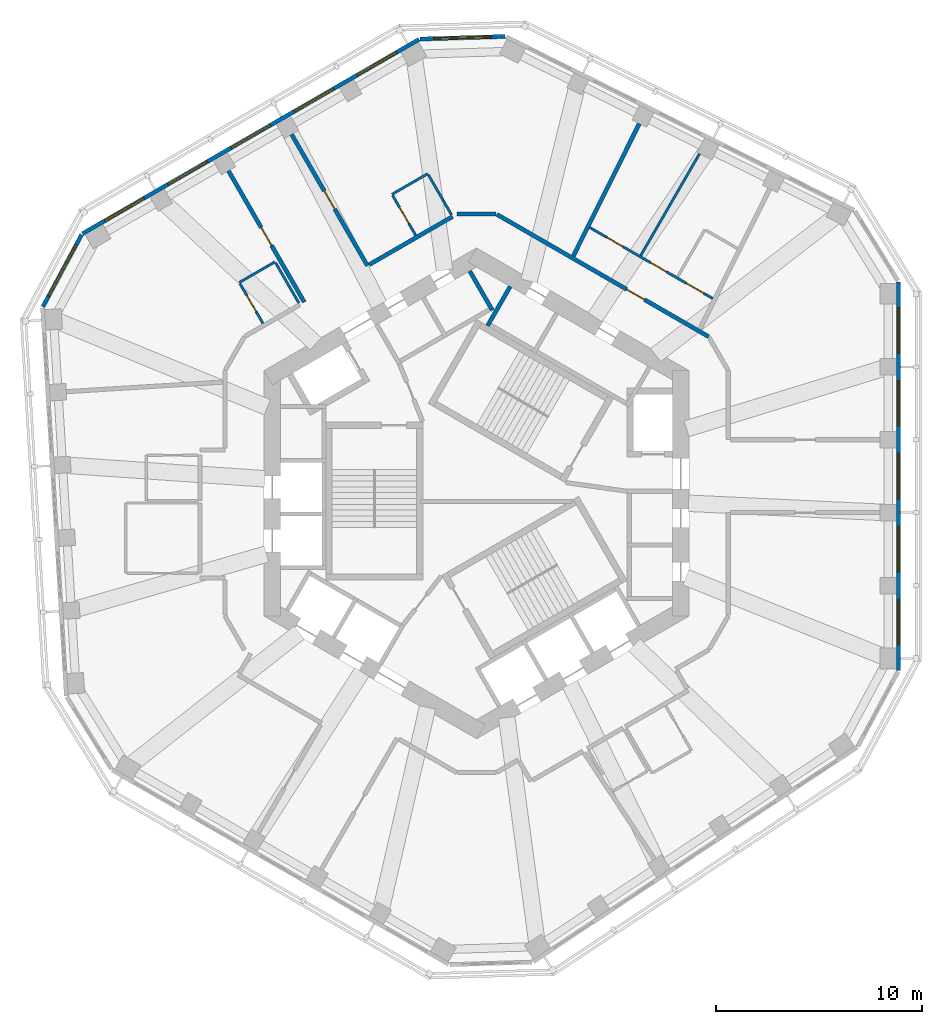
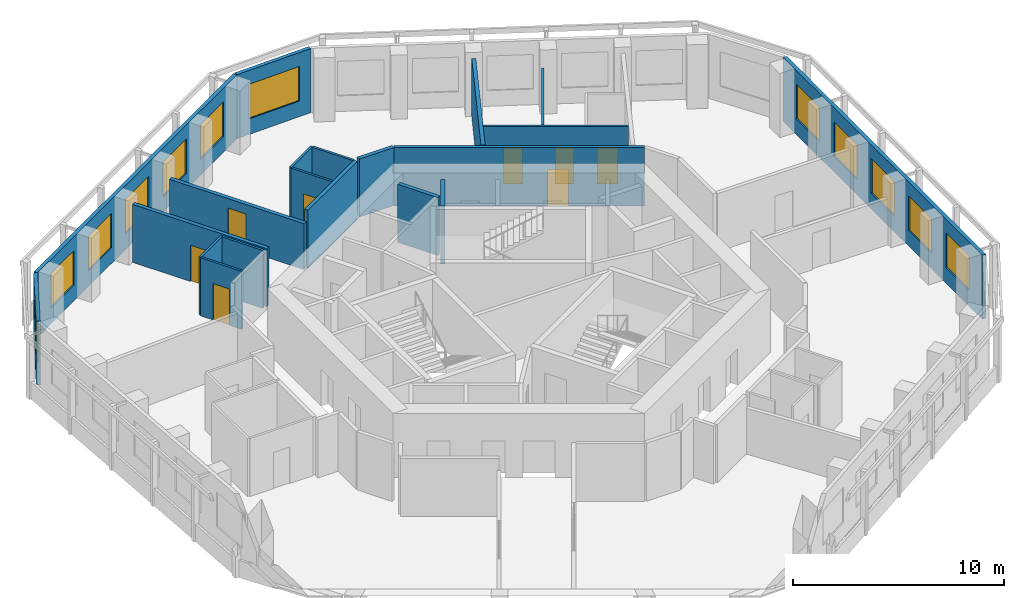
# One storey, part 7 of 11: 20 walls, 12 windows, 8 doors, 20 openings.
"""IFC4 building model written with IfcOpenShell, lengths in metres."""

from ifc_helpers import new_model, si_unit, direction, frame, frame_2d, origin, place, context, subcontext, project, spatial, rectangle, extrude, material, layer, layer_set, type_object, element, fill, save


model = new_model("IFC4")

# Units and contexts
model_context = context("Model", 3, precision=1e-05, world=origin(), true_north=direction((0.0, 1.0)))
body_context = subcontext(model_context, "Body", "Model", "MODEL_VIEW")
ifc_project = project(units=[si_unit("LENGTHUNIT", "METRE"), si_unit("AREAUNIT", "SQUARE_METRE"), si_unit("VOLUMEUNIT", "CUBIC_METRE"), si_unit("PLANEANGLEUNIT", "RADIAN"), si_unit("MASSUNIT", "GRAM", prefix="KILO")], contexts=[model_context])

# Site, building, storey
site_placement = place(None, origin())
site = spatial("IfcSite", under=ifc_project, at=site_placement, CompositionType="ELEMENT")
building_placement = place(site_placement, origin())
building = spatial("IfcBuilding", under=site, at=building_placement, Name="Vanh Sen Convention Tower", CompositionType="ELEMENT")
storey_placement = place(building_placement, frame((0.0, 0.0, 251.300048828125)))
storey = spatial("IfcBuildingStorey", under=building, at=storey_placement, Name="L62", CompositionType="ELEMENT", Elevation=251.300048828125)

# Wall
ifc_material_1 = material(Name="Moisture-resistant gypsum board on steel studs", Category="steel")
ifc_layer_1 = layer(ifc_material_1, 0.1201171875)
ifc_layer_set_1 = layer_set([ifc_layer_1], Name="Moisture-resistant gypsum board on steel studs")
wall_type_1 = type_object("IfcWallType", Name="Bathroom partition 120", PredefinedType="PARTITIONING", material=ifc_layer_set_1)
wall_1_placement = place(storey_placement, frame((-11.49853515625, 10.219970703125, 0.0), z_axis=(0.0, 0.0, 1.0), x_axis=(0.866010750942, 0.50002537861, 0.0)))
element("IfcWall", 1, at=wall_1_placement, inside=storey, type_object=wall_type_1, Name="Bathroom partition 120", PredefinedType="PARTITIONING", context=body_context, shape_type="SweptSolid", body=[
    extrude(rectangle(XDim=2.0, YDim=0.1201171875, at=frame_2d((1.0, 0.0))), origin(), (0.0, 0.0, 1.0), 3.349853515625),
])

# Wall, opening, door
wall_2_placement = place(storey_placement, frame((-10.348388671875, 8.22802734375, 0.0), z_axis=(0.0, 0.0, 1.0), x_axis=(-0.500030632641, 0.866007717299, 0.0)))
wall_2 = element("IfcWall", 2, at=wall_2_placement, inside=storey, type_object=wall_type_1, Name="Bathroom partition 120", PredefinedType="PARTITIONING", context=body_context, shape_type="SweptSolid", body=[
    extrude(rectangle(XDim=2.239990234375, YDim=0.1201171875, at=frame_2d((1.1201171875, 0.0))), origin(), (0.0, 0.0, 1.0), 3.349853515625),
])
opening_1_placement = place(wall_2_placement, frame((0.669921875, 0.0, 0.0)))
opening_1 = element("IfcOpeningElement", 3, at=opening_1_placement, cuts=wall_2, Name="Opening D61109", PredefinedType="OPENING", context=body_context, shape_type="SweptSolid", body=[
    extrude(rectangle(XDim=0.89990234375, YDim=2.10009765625, at=frame_2d((0.449951171875, 1.050048828125))), frame((0.0, 0.070068359375, 0.0), z_axis=(0.0, -1.0, 0.0), x_axis=(1.0, 0.0, 0.0)), (0.0, 0.0, 1.0), 0.14013671875),
])
ifc_material_2 = material(Name="Laminate door in steel frame", Category="steel")
door_type_1 = type_object("IfcDoorType", Name="Room internal door 900", OperationType="SINGLE_SWING_LEFT", PredefinedType="DOOR", material=ifc_material_2)
door_1_placement = place(opening_1_placement, origin())
door_1 = element("IfcDoor", 4, at=door_1_placement, inside=storey, type_object=door_type_1, Name="Internal room door D61109", OperationType="SINGLE_SWING_LEFT", OverallHeight=2.10009765625, OverallWidth=0.89990234375, PredefinedType="DOOR", context=body_context, shape_type="SweptSolid", body=[
    extrude(rectangle(XDim=0.89990234375, YDim=2.10009765625, at=frame_2d((0.449951171875, 1.050048828125))), frame((0.0, 0.02490234375, 0.0), z_axis=(0.0, -1.0, 0.0), x_axis=(1.0, 0.0, 0.0)), (0.0, 0.0, 1.0), 0.050048828125),
])
fill(opening_1, door_1)

# Walls
wall_3_placement = place(storey_placement, frame((-9.736572265625, 11.16796875, 0.0), z_axis=(0.0, 0.0, 1.0), x_axis=(0.500030632641, -0.866007717299, 0.0)))
element("IfcWall", 5, at=wall_3_placement, inside=storey, type_object=wall_type_1, Name="Bathroom partition 120", PredefinedType="PARTITIONING", context=body_context, shape_type="SweptSolid", body=[
    extrude(rectangle(XDim=2.239990234375, YDim=0.1201171875, at=frame_2d((1.1201171875, 0.0))), origin(), (0.0, 0.0, 1.0), 3.349853515625),
])
wall_4_placement = place(storey_placement, frame((-4.0986328125, 14.4921875, 0.0), z_axis=(0.0, 0.0, 1.0), x_axis=(0.866041268327, 0.499972520799, 0.0)))
element("IfcWall", 6, at=wall_4_placement, inside=storey, type_object=wall_type_1, Name="Bathroom partition 120", PredefinedType="PARTITIONING", context=body_context, shape_type="SweptSolid", body=[
    extrude(rectangle(XDim=2.0, YDim=0.1201171875, at=frame_2d((1.0, 0.0))), origin(), (0.0, 0.0, 1.0), 3.349853515625),
])

# Wall, opening, door
wall_5_placement = place(storey_placement, frame((-2.948486328125, 12.50048828125, 0.0), z_axis=(0.0, 0.0, 1.0), x_axis=(-0.500077830873, 0.865980463445, 0.0)))
wall_5 = element("IfcWall", 7, at=wall_5_placement, inside=storey, type_object=wall_type_1, Name="Bathroom partition 120", PredefinedType="PARTITIONING", context=body_context, shape_type="SweptSolid", body=[
    extrude(rectangle(XDim=2.239990234375, YDim=0.1201171875, at=frame_2d((1.1201171875, 0.0))), origin(), (0.0, 0.0, 1.0), 3.349853515625),
])
opening_2_placement = place(wall_5_placement, frame((0.669921875, 0.0, 0.0)))
opening_2 = element("IfcOpeningElement", 8, at=opening_2_placement, cuts=wall_5, Name="Opening D61107", PredefinedType="OPENING", context=body_context, shape_type="SweptSolid", body=[
    extrude(rectangle(XDim=0.89990234375, YDim=2.10009765625, at=frame_2d((0.449951171875, 1.050048828125))), frame((0.0, 0.070068359375, 0.0), z_axis=(0.0, -1.0, 0.0), x_axis=(1.0, 0.0, 0.0)), (0.0, 0.0, 1.0), 0.14013671875),
])
door_2_placement = place(opening_2_placement, origin())
door_2 = element("IfcDoor", 9, at=door_2_placement, inside=storey, type_object=door_type_1, Name="Internal room door D61107", OperationType="SINGLE_SWING_LEFT", OverallHeight=2.10009765625, OverallWidth=0.89990234375, PredefinedType="DOOR", context=body_context, shape_type="SweptSolid", body=[
    extrude(rectangle(XDim=0.89990234375, YDim=2.10009765625, at=frame_2d((0.449951171875, 1.050048828125))), frame((0.0, 0.02490234375, 0.0), z_axis=(0.0, -1.0, 0.0), x_axis=(1.0, 0.0, 0.0)), (0.0, 0.0, 1.0), 0.050048828125),
])
fill(opening_2, door_2)

# Walls
wall_6_placement = place(storey_placement, frame((-2.33642578125, 15.440185546875, 0.0), z_axis=(0.0, 0.0, 1.0), x_axis=(0.49999608499, -0.866027664105, 0.0)))
element("IfcWall", 10, at=wall_6_placement, inside=storey, type_object=wall_type_1, Name="Bathroom partition 120", PredefinedType="PARTITIONING", context=body_context, shape_type="SweptSolid", body=[
    extrude(rectangle(XDim=2.23974609375, YDim=0.1201171875, at=frame_2d((1.119873046875, 0.0))), origin(), (0.0, 0.0, 1.0), 3.349853515625),
])
wall_7_placement = place(storey_placement, frame((10.8046875, 16.458251953125, 0.0), z_axis=(0.0, 0.0, 1.0), x_axis=(-0.500025478307, -0.866010693377, 0.0)))
element("IfcWall", 11, at=wall_7_placement, inside=storey, type_object=wall_type_1, Name="Bathroom partition 120", PredefinedType="PARTITIONING", context=body_context, shape_type="SweptSolid", body=[
    extrude(rectangle(XDim=5.695556640625, YDim=0.1201171875, at=frame_2d((2.84765625, 0.0))), origin(), (0.0, 0.0, 1.0), 2.64990234375),
])

# Wall, openings, doors
wall_8_placement = place(storey_placement, frame((11.447265625, 9.441162109375, 0.0), z_axis=(0.0, 0.0, 1.0), x_axis=(-0.866016001002, 0.500016285743, 0.0)))
wall_8 = element("IfcWall", 12, at=wall_8_placement, inside=storey, type_object=wall_type_1, Name="Bathroom partition 120", PredefinedType="PARTITIONING", context=body_context, shape_type="SweptSolid", body=[
    extrude(rectangle(XDim=6.880615234375, YDim=0.1201171875, at=frame_2d((3.4404296875, 0.0))), origin(), (0.0, 0.0, 1.0), 3.349853515625),
])
opening_3_placement = place(wall_8_placement, frame((0.5, 0.0, 0.0)))
opening_3 = element("IfcOpeningElement", 13, at=opening_3_placement, cuts=wall_8, Name="Opening D61103", PredefinedType="OPENING", context=body_context, shape_type="SweptSolid", body=[
    extrude(rectangle(XDim=1.0, YDim=2.10009765625, at=frame_2d((0.5, 1.050048828125))), frame((0.0, 0.070068359375, 0.0), z_axis=(0.0, -1.0, 0.0), x_axis=(1.0, 0.0, 0.0)), (0.0, 0.0, 1.0), 0.14013671875),
])
opening_4_placement = place(wall_8_placement, frame((2.58251953125, 0.0, 0.0)))
opening_4 = element("IfcOpeningElement", 14, at=opening_4_placement, cuts=wall_8, Name="Opening D61104", PredefinedType="OPENING", context=body_context, shape_type="SweptSolid", body=[
    extrude(rectangle(XDim=0.89990234375, YDim=2.10009765625, at=frame_2d((0.449951171875, 1.050048828125))), frame((0.0, 0.070068359375, 0.0), z_axis=(0.0, -1.0, 0.0), x_axis=(1.0, 0.0, 0.0)), (0.0, 0.0, 1.0), 0.14013671875),
])
opening_5_placement = place(wall_8_placement, frame((5.022705078125, 0.0, 0.0)))
opening_5 = element("IfcOpeningElement", 15, at=opening_5_placement, cuts=wall_8, Name="Opening D61105", PredefinedType="OPENING", context=body_context, shape_type="SweptSolid", body=[
    extrude(rectangle(XDim=0.89990234375, YDim=2.10009765625, at=frame_2d((0.449951171875, 1.050048828125))), frame((0.0, 0.070068359375, 0.0), z_axis=(0.0, -1.0, 0.0), x_axis=(1.0, 0.0, 0.0)), (0.0, 0.0, 1.0), 0.14013671875),
])
door_type_2 = type_object("IfcDoorType", Name="Accessible WC door 1000", OperationType="SINGLE_SWING_LEFT", PredefinedType="DOOR", material=ifc_material_2)
door_3_placement = place(opening_3_placement, origin())
door_3 = element("IfcDoor", 16, at=door_3_placement, inside=storey, type_object=door_type_2, Name="Accessible WC door D61103", OperationType="SINGLE_SWING_LEFT", OverallHeight=2.10009765625, OverallWidth=1.0, PredefinedType="DOOR", context=body_context, shape_type="SweptSolid", body=[
    extrude(rectangle(XDim=1.0, YDim=2.10009765625, at=frame_2d((0.5, 1.050048828125))), frame((0.0, 0.02490234375, 0.0), z_axis=(0.0, -1.0, 0.0), x_axis=(1.0, 0.0, 0.0)), (0.0, 0.0, 1.0), 0.050048828125),
])
fill(opening_3, door_3)
door_4_placement = place(opening_4_placement, origin())
door_4 = element("IfcDoor", 17, at=door_4_placement, inside=storey, type_object=door_type_1, Name="Internal room door D61104", OperationType="SINGLE_SWING_LEFT", OverallHeight=2.10009765625, OverallWidth=0.89990234375, PredefinedType="DOOR", context=body_context, shape_type="SweptSolid", body=[
    extrude(rectangle(XDim=0.89990234375, YDim=2.10009765625, at=frame_2d((0.449951171875, 1.050048828125))), frame((0.0, 0.02490234375, 0.0), z_axis=(0.0, -1.0, 0.0), x_axis=(1.0, 0.0, 0.0)), (0.0, 0.0, 1.0), 0.050048828125),
])
fill(opening_4, door_4)
door_5_placement = place(opening_5_placement, origin())
door_5 = element("IfcDoor", 18, at=door_5_placement, inside=storey, type_object=door_type_1, Name="Internal room door D61105", OperationType="SINGLE_SWING_LEFT", OverallHeight=2.10009765625, OverallWidth=0.89990234375, PredefinedType="DOOR", context=body_context, shape_type="SweptSolid", body=[
    extrude(rectangle(XDim=0.89990234375, YDim=2.10009765625, at=frame_2d((0.449951171875, 1.050048828125))), frame((0.0, 0.02490234375, 0.0), z_axis=(0.0, -1.0, 0.0), x_axis=(1.0, 0.0, 0.0)), (0.0, 0.0, 1.0), 0.050048828125),
])
fill(opening_5, door_5)

# Wall, opening, door
ifc_material_3 = material(Name="Gypsum board on steel studs with mineral wool", Category="steel")
ifc_layer_2 = layer(ifc_material_3, 0.199951171875)
ifc_layer_set_2 = layer_set([ifc_layer_2], Name="Gypsum board on steel studs with mineral wool")
wall_type_2 = type_object("IfcWallType", Name="Corridor partition wall 200", PredefinedType="PARTITIONING", material=ifc_layer_set_2)
wall_9_placement = place(storey_placement, frame((-12.02490234375, 15.6318359375, 0.0), z_axis=(0.0, 0.0, 1.0), x_axis=(0.499983153418, -0.866035129944, 0.0)))
wall_9 = element("IfcWall", 19, at=wall_9_placement, inside=storey, type_object=wall_type_2, Name="Corridor partition wall 200", PredefinedType="PARTITIONING", context=body_context, shape_type="SweptSolid", body=[
    extrude(rectangle(XDim=7.349853515625, YDim=0.199951171875, at=frame_2d((3.6748046875, 0.0))), origin(), (0.0, 0.0, 1.0), 3.349853515625),
])
opening_6_placement = place(wall_9_placement, frame((3.175048828125, 0.0, 0.0)))
opening_6 = element("IfcOpeningElement", 20, at=opening_6_placement, cuts=wall_9, Name="Opening D61108", PredefinedType="OPENING", context=body_context, shape_type="SweptSolid", body=[
    extrude(rectangle(XDim=1.0, YDim=2.10009765625, at=frame_2d((0.5, 1.050048828125))), frame((0.0, 0.10986328125, 0.0), z_axis=(0.0, -1.0, 0.0), x_axis=(1.0, 0.0, 0.0)), (0.0, 0.0, 1.0), 0.219970703125),
])
ifc_material_4 = material(Name="Glazed fire door in steel frame", Category="steel")
door_type_3 = type_object("IfcDoorType", Name="Tenant entrance door 1000", OperationType="SINGLE_SWING_LEFT", PredefinedType="DOOR", material=ifc_material_4)
door_6_placement = place(opening_6_placement, origin())
door_6 = element("IfcDoor", 21, at=door_6_placement, inside=storey, type_object=door_type_3, Name="Tenant suite entrance door D61108", OperationType="SINGLE_SWING_LEFT", OverallHeight=2.10009765625, OverallWidth=1.0, PredefinedType="DOOR", context=body_context, shape_type="SweptSolid", body=[
    extrude(rectangle(XDim=1.0, YDim=2.10009765625, at=frame_2d((0.5, 1.050048828125))), frame((0.0, 0.02490234375, 0.0), z_axis=(0.0, -1.0, 0.0), x_axis=(1.0, 0.0, 0.0)), (0.0, 0.0, 1.0), 0.050048828125),
])
fill(opening_6, door_6)

wall_10_placement = place(storey_placement, frame((-8.96484375, 17.398681640625, 0.0), z_axis=(0.0, 0.0, 1.0), x_axis=(0.499993683172, -0.866029050776, 0.0)))
wall_10 = element("IfcWall", 22, at=wall_10_placement, inside=storey, type_object=wall_type_2, Name="Corridor partition wall 200", PredefinedType="PARTITIONING", context=body_context, shape_type="SweptSolid", body=[
    extrude(rectangle(XDim=7.35009765625, YDim=0.199951171875, at=frame_2d((3.675048828125, 0.0))), origin(), (0.0, 0.0, 1.0), 2.64990234375),
])
opening_7_placement = place(wall_10_placement, frame((3.175048828125, 0.0, 0.0)))
opening_7 = element("IfcOpeningElement", 23, at=opening_7_placement, cuts=wall_10, Name="Opening D61106", PredefinedType="OPENING", context=body_context, shape_type="SweptSolid", body=[
    extrude(rectangle(XDim=1.0, YDim=2.10009765625, at=frame_2d((0.5, 1.050048828125))), frame((0.0, 0.10986328125, 0.0), z_axis=(0.0, -1.0, 0.0), x_axis=(1.0, 0.0, 0.0)), (0.0, 0.0, 1.0), 0.219970703125),
])
door_7_placement = place(opening_7_placement, origin())
door_7 = element("IfcDoor", 24, at=door_7_placement, inside=storey, type_object=door_type_3, Name="Tenant suite entrance door D61106", OperationType="SINGLE_SWING_LEFT", OverallHeight=2.10009765625, OverallWidth=1.0, PredefinedType="DOOR", context=body_context, shape_type="SweptSolid", body=[
    extrude(rectangle(XDim=1.0, YDim=2.10009765625, at=frame_2d((0.5, 1.050048828125))), frame((0.0, 0.02490234375, 0.0), z_axis=(0.0, -1.0, 0.0), x_axis=(1.0, 0.0, 0.0)), (0.0, 0.0, 1.0), 0.050048828125),
])
fill(opening_7, door_7)

# Walls
wall_11_placement = place(storey_placement, frame((-1.16650390625, 13.413818359375, 0.0), z_axis=(0.0, 0.0, 1.0), x_axis=(-0.866023347809, -0.500003561037, 0.0)))
element("IfcWall", 25, at=wall_11_placement, inside=storey, type_object=wall_type_2, Name="Corridor partition wall 200", PredefinedType="PARTITIONING", context=body_context, shape_type="SweptSolid", body=[
    extrude(rectangle(XDim=4.6611328125, YDim=0.199951171875, at=frame_2d((2.33056640625, 0.0))), origin(), (0.0, 0.0, 1.0), 3.349853515625),
])
wall_12_placement = place(storey_placement, frame((0.949951171875, 13.538818359375, 0.0), z_axis=(0.0, 0.0, 1.0), x_axis=(-1.0, 0.0, 0.0)))
element("IfcWall", 26, at=wall_12_placement, inside=storey, type_object=wall_type_2, Name="Corridor partition wall 200", PredefinedType="PARTITIONING", context=body_context, shape_type="SweptSolid", body=[
    extrude(rectangle(XDim=1.89990234375, YDim=0.199951171875, at=frame_2d((0.949951171875, 0.0))), origin(), (0.0, 0.0, 1.0), 3.349853515625),
])

# Wall, opening, door
wall_13_placement = place(storey_placement, frame((11.25, 7.592041015625, 0.0), z_axis=(0.0, 0.0, 1.0), x_axis=(-0.866024037175, 0.500002367029, 0.0)))
wall_13 = element("IfcWall", 27, at=wall_13_placement, inside=storey, type_object=wall_type_2, Name="Corridor partition wall 200", PredefinedType="PARTITIONING", context=body_context, shape_type="SweptSolid", body=[
    extrude(rectangle(XDim=11.853515625, YDim=0.199951171875, at=frame_2d((5.9267578125, 0.0))), origin(), (0.0, 0.0, 1.0), 3.349853515625),
])
opening_8_placement = place(wall_13_placement, frame((3.590087890625, 0.0, 0.0)))
opening_8 = element("IfcOpeningElement", 28, at=opening_8_placement, cuts=wall_13, Name="Opening D61102", PredefinedType="OPENING", context=body_context, shape_type="SweptSolid", body=[
    extrude(rectangle(XDim=1.0, YDim=2.10009765625, at=frame_2d((0.5, 1.050048828125))), frame((0.0, 0.10986328125, 0.0), z_axis=(0.0, -1.0, 0.0), x_axis=(1.0, 0.0, 0.0)), (0.0, 0.0, 1.0), 0.219970703125),
])
ifc_material_5 = material(Name="Timber fire door in steel frame", Category="steel")
door_type_4 = type_object("IfcDoorType", Name="Floor room door 1000", OperationType="SINGLE_SWING_LEFT", PredefinedType="DOOR", material=ifc_material_5)
door_8_placement = place(opening_8_placement, origin())
door_8 = element("IfcDoor", 29, at=door_8_placement, inside=storey, type_object=door_type_4, Name="Meeting and amenity room door D61102", OperationType="SINGLE_SWING_LEFT", OverallHeight=2.10009765625, OverallWidth=1.0, PredefinedType="DOOR", context=body_context, shape_type="SweptSolid", body=[
    extrude(rectangle(XDim=1.0, YDim=2.10009765625, at=frame_2d((0.5, 1.050048828125))), frame((0.0, 0.02490234375, 0.0), z_axis=(0.0, -1.0, 0.0), x_axis=(1.0, 0.0, 0.0)), (0.0, 0.0, 1.0), 0.050048828125),
])
fill(opening_8, door_8)

# Wall, openings, windows
ifc_material_6 = material(Name="Insulated lightweight infill wall")
ifc_layer_3 = layer(ifc_material_6, 0.199951171875)
ifc_layer_set_3 = layer_set([ifc_layer_3], Name="Insulated lightweight infill wall")
wall_type_3 = type_object("IfcWallType", Name="External wall 200", PredefinedType="STANDARD", material=ifc_layer_set_3)
wall_14_placement = place(storey_placement, frame((20.449951171875, -8.590087890625, 0.0), z_axis=(0.0, 0.0, 1.0), x_axis=(0.0, 1.0, 0.0)))
wall_14 = element("IfcWall", 30, at=wall_14_placement, inside=storey, type_object=wall_type_3, Name="External wall E L62", PredefinedType="STANDARD", context=body_context, shape_type="SweptSolid", body=[
    extrude(rectangle(XDim=18.84130859375, YDim=0.199951171875, at=frame_2d((9.420654296875, 0.0))), origin(), (0.0, 0.0, 1.0), 3.699951171875),
])
opening_9_placement = place(wall_14_placement, frame((1.254150390625, 0.0, 0.89990234375)))
opening_9 = element("IfcOpeningElement", 31, at=opening_9_placement, cuts=wall_14, Name="Opening WO3-E1", PredefinedType="OPENING", context=body_context, shape_type="SweptSolid", body=[
    extrude(rectangle(XDim=2.199951171875, YDim=2.0, at=frame_2d((1.10009765625, 1.0))), frame((0.0, 0.10986328125, 0.0), z_axis=(0.0, -1.0, 0.0), x_axis=(1.0, 0.0, 0.0)), (0.0, 0.0, 1.0), 0.219970703125),
])
opening_10_placement = place(wall_14_placement, frame((4.787841796875, 0.0, 0.89990234375)))
opening_10 = element("IfcOpeningElement", 32, at=opening_10_placement, cuts=wall_14, Name="Opening WO3-E2", PredefinedType="OPENING", context=body_context, shape_type="SweptSolid", body=[
    extrude(rectangle(XDim=2.199951171875, YDim=2.0, at=frame_2d((1.10009765625, 1.0))), frame((0.0, 0.10986328125, 0.0), z_axis=(0.0, -1.0, 0.0), x_axis=(1.0, 0.0, 0.0)), (0.0, 0.0, 1.0), 0.219970703125),
])
opening_11_placement = place(wall_14_placement, frame((8.321533203125, 0.0, 0.89990234375)))
opening_11 = element("IfcOpeningElement", 33, at=opening_11_placement, cuts=wall_14, Name="Opening WO3-E3", PredefinedType="OPENING", context=body_context, shape_type="SweptSolid", body=[
    extrude(rectangle(XDim=2.199951171875, YDim=2.0, at=frame_2d((1.10009765625, 1.0))), frame((0.0, 0.10986328125, 0.0), z_axis=(0.0, -1.0, 0.0), x_axis=(1.0, 0.0, 0.0)), (0.0, 0.0, 1.0), 0.219970703125),
])
opening_12_placement = place(wall_14_placement, frame((11.85498046875, 0.0, 0.89990234375)))
opening_12 = element("IfcOpeningElement", 34, at=opening_12_placement, cuts=wall_14, Name="Opening WO3-E4", PredefinedType="OPENING", context=body_context, shape_type="SweptSolid", body=[
    extrude(rectangle(XDim=2.199951171875, YDim=2.0, at=frame_2d((1.10009765625, 1.0))), frame((0.0, 0.10986328125, 0.0), z_axis=(0.0, -1.0, 0.0), x_axis=(1.0, 0.0, 0.0)), (0.0, 0.0, 1.0), 0.219970703125),
])
opening_13_placement = place(wall_14_placement, frame((15.388671875, 0.0, 0.89990234375)))
opening_13 = element("IfcOpeningElement", 35, at=opening_13_placement, cuts=wall_14, Name="Opening WO3-E5", PredefinedType="OPENING", context=body_context, shape_type="SweptSolid", body=[
    extrude(rectangle(XDim=2.199951171875, YDim=2.0, at=frame_2d((1.10009765625, 1.0))), frame((0.0, 0.10986328125, 0.0), z_axis=(0.0, -1.0, 0.0), x_axis=(1.0, 0.0, 0.0)), (0.0, 0.0, 1.0), 0.219970703125),
])
ifc_material_7 = material(Name="Aluminium frame with clear low-emissivity glass", Category="aluminium")
window_type_1 = type_object("IfcWindowType", Name="Office window 2200 x 2000", PartitioningType="SINGLE_PANEL", PredefinedType="WINDOW", material=ifc_material_7)
window_1_placement = place(opening_9_placement, origin())
window_1 = element("IfcWindow", 36, at=window_1_placement, inside=storey, type_object=window_type_1, Name="Window WO3-E1", OverallHeight=2.0, OverallWidth=2.199951171875, PartitioningType="SINGLE_PANEL", PredefinedType="WINDOW", context=body_context, shape_type="SweptSolid", body=[
    extrude(rectangle(XDim=2.199951171875, YDim=2.0, at=frame_2d((1.10009765625, 1.0))), frame((0.0, 0.030029296875, 0.0), z_axis=(0.0, -1.0, 0.0), x_axis=(1.0, 0.0, 0.0)), (0.0, 0.0, 1.0), 0.06005859375),
])
fill(opening_9, window_1)
window_2_placement = place(opening_10_placement, origin())
window_2 = element("IfcWindow", 37, at=window_2_placement, inside=storey, type_object=window_type_1, Name="Window WO3-E2", OverallHeight=2.0, OverallWidth=2.199951171875, PartitioningType="SINGLE_PANEL", PredefinedType="WINDOW", context=body_context, shape_type="SweptSolid", body=[
    extrude(rectangle(XDim=2.199951171875, YDim=2.0, at=frame_2d((1.10009765625, 1.0))), frame((0.0, 0.030029296875, 0.0), z_axis=(0.0, -1.0, 0.0), x_axis=(1.0, 0.0, 0.0)), (0.0, 0.0, 1.0), 0.06005859375),
])
fill(opening_10, window_2)
window_3_placement = place(opening_11_placement, origin())
window_3 = element("IfcWindow", 38, at=window_3_placement, inside=storey, type_object=window_type_1, Name="Window WO3-E3", OverallHeight=2.0, OverallWidth=2.199951171875, PartitioningType="SINGLE_PANEL", PredefinedType="WINDOW", context=body_context, shape_type="SweptSolid", body=[
    extrude(rectangle(XDim=2.199951171875, YDim=2.0, at=frame_2d((1.10009765625, 1.0))), frame((0.0, 0.030029296875, 0.0), z_axis=(0.0, -1.0, 0.0), x_axis=(1.0, 0.0, 0.0)), (0.0, 0.0, 1.0), 0.06005859375),
])
fill(opening_11, window_3)
window_4_placement = place(opening_12_placement, origin())
window_4 = element("IfcWindow", 39, at=window_4_placement, inside=storey, type_object=window_type_1, Name="Window WO3-E4", OverallHeight=2.0, OverallWidth=2.199951171875, PartitioningType="SINGLE_PANEL", PredefinedType="WINDOW", context=body_context, shape_type="SweptSolid", body=[
    extrude(rectangle(XDim=2.199951171875, YDim=2.0, at=frame_2d((1.10009765625, 1.0))), frame((0.0, 0.030029296875, 0.0), z_axis=(0.0, -1.0, 0.0), x_axis=(1.0, 0.0, 0.0)), (0.0, 0.0, 1.0), 0.06005859375),
])
fill(opening_12, window_4)
window_5_placement = place(opening_13_placement, origin())
window_5 = element("IfcWindow", 40, at=window_5_placement, inside=storey, type_object=window_type_1, Name="Window WO3-E5", OverallHeight=2.0, OverallWidth=2.199951171875, PartitioningType="SINGLE_PANEL", PredefinedType="WINDOW", context=body_context, shape_type="SweptSolid", body=[
    extrude(rectangle(XDim=2.199951171875, YDim=2.0, at=frame_2d((1.10009765625, 1.0))), frame((0.0, 0.030029296875, 0.0), z_axis=(0.0, -1.0, 0.0), x_axis=(1.0, 0.0, 0.0)), (0.0, 0.0, 1.0), 0.06005859375),
])
fill(opening_13, window_5)

# Wall, opening, window
wall_15_placement = place(storey_placement, frame((1.389404296875, 22.144775390625, 0.0), z_axis=(0.0, 0.0, 1.0), x_axis=(-0.999534702881, -0.030502093955, 0.0)))
wall_15 = element("IfcWall", 41, at=wall_15_placement, inside=storey, type_object=wall_type_3, Name="External wall CH2 L62", PredefinedType="STANDARD", context=body_context, shape_type="SweptSolid", body=[
    extrude(rectangle(XDim=4.130126953125, YDim=0.199951171875, at=frame_2d((2.06494140625, 0.0))), origin(), (0.0, 0.0, 1.0), 3.699951171875),
])
opening_14_placement = place(wall_15_placement, frame((0.6650390625, 0.0, 0.89990234375)))
opening_14 = element("IfcOpeningElement", 42, at=opening_14_placement, cuts=wall_15, Name="Opening WO4-CH21", PredefinedType="OPENING", context=body_context, shape_type="SweptSolid", body=[
    extrude(rectangle(XDim=2.800048828125, YDim=2.0, at=frame_2d((1.39990234375, 1.0))), frame((0.0, 0.10986328125, 0.0), z_axis=(0.0, -1.0, 0.0), x_axis=(1.0, 0.0, 0.0)), (0.0, 0.0, 1.0), 0.219970703125),
])
window_type_2 = type_object("IfcWindowType", Name="Office window 2800 x 2000", PartitioningType="SINGLE_PANEL", PredefinedType="WINDOW", material=ifc_material_7)
window_6_placement = place(opening_14_placement, origin())
window_6 = element("IfcWindow", 43, at=window_6_placement, inside=storey, type_object=window_type_2, Name="Window WO4-CH21", OverallHeight=2.0, OverallWidth=2.800048828125, PartitioningType="SINGLE_PANEL", PredefinedType="WINDOW", context=body_context, shape_type="SweptSolid", body=[
    extrude(rectangle(XDim=2.800048828125, YDim=2.0, at=frame_2d((1.39990234375, 1.0))), frame((0.0, 0.030029296875, 0.0), z_axis=(0.0, -1.0, 0.0), x_axis=(1.0, 0.0, 0.0)), (0.0, 0.0, 1.0), 0.06005859375),
])
fill(opening_14, window_6)

# Wall, openings, windows
wall_16_placement = place(storey_placement, frame((-2.78564453125, 22.00537109375, 0.0), z_axis=(0.0, 0.0, 1.0), x_axis=(-0.866026555358, -0.49999800541, 0.0)))
wall_16 = element("IfcWall", 44, at=wall_16_placement, inside=storey, type_object=wall_type_3, Name="External wall NW L62", PredefinedType="STANDARD", context=body_context, shape_type="SweptSolid", body=[
    extrude(rectangle(XDim=18.84130859375, YDim=0.199951171875, at=frame_2d((9.420654296875, 0.0))), origin(), (0.0, 0.0, 1.0), 3.699951171875),
])
opening_15_placement = place(wall_16_placement, frame((1.254150390625, 0.0, 0.89990234375)))
opening_15 = element("IfcOpeningElement", 45, at=opening_15_placement, cuts=wall_16, Name="Opening WO3-NW1", PredefinedType="OPENING", context=body_context, shape_type="SweptSolid", body=[
    extrude(rectangle(XDim=2.199951171875, YDim=2.0, at=frame_2d((1.10009765625, 1.0))), frame((0.0, 0.10986328125, 0.0), z_axis=(0.0, -1.0, 0.0), x_axis=(1.0, 0.0, 0.0)), (0.0, 0.0, 1.0), 0.219970703125),
])
opening_16_placement = place(wall_16_placement, frame((4.787841796875, 0.0, 0.89990234375)))
opening_16 = element("IfcOpeningElement", 46, at=opening_16_placement, cuts=wall_16, Name="Opening WO3-NW2", PredefinedType="OPENING", context=body_context, shape_type="SweptSolid", body=[
    extrude(rectangle(XDim=2.199951171875, YDim=2.0, at=frame_2d((1.10009765625, 1.0))), frame((0.0, 0.10986328125, 0.0), z_axis=(0.0, -1.0, 0.0), x_axis=(1.0, 0.0, 0.0)), (0.0, 0.0, 1.0), 0.219970703125),
])
opening_17_placement = place(wall_16_placement, frame((8.3212890625, 0.0, 0.89990234375)))
opening_17 = element("IfcOpeningElement", 47, at=opening_17_placement, cuts=wall_16, Name="Opening WO3-NW3", PredefinedType="OPENING", context=body_context, shape_type="SweptSolid", body=[
    extrude(rectangle(XDim=2.199951171875, YDim=2.0, at=frame_2d((1.10009765625, 1.0))), frame((0.0, 0.10986328125, 0.0), z_axis=(0.0, -1.0, 0.0), x_axis=(1.0, 0.0, 0.0)), (0.0, 0.0, 1.0), 0.219970703125),
])
opening_18_placement = place(wall_16_placement, frame((11.85498046875, 0.0, 0.89990234375)))
opening_18 = element("IfcOpeningElement", 48, at=opening_18_placement, cuts=wall_16, Name="Opening WO3-NW4", PredefinedType="OPENING", context=body_context, shape_type="SweptSolid", body=[
    extrude(rectangle(XDim=2.199951171875, YDim=2.0, at=frame_2d((1.10009765625, 1.0))), frame((0.0, 0.10986328125, 0.0), z_axis=(0.0, -1.0, 0.0), x_axis=(1.0, 0.0, 0.0)), (0.0, 0.0, 1.0), 0.219970703125),
])
opening_19_placement = place(wall_16_placement, frame((15.388671875, 0.0, 0.89990234375)))
opening_19 = element("IfcOpeningElement", 49, at=opening_19_placement, cuts=wall_16, Name="Opening WO3-NW5", PredefinedType="OPENING", context=body_context, shape_type="SweptSolid", body=[
    extrude(rectangle(XDim=2.199951171875, YDim=2.0, at=frame_2d((1.10009765625, 1.0))), frame((0.0, 0.10986328125, 0.0), z_axis=(0.0, -1.0, 0.0), x_axis=(1.0, 0.0, 0.0)), (0.0, 0.0, 1.0), 0.219970703125),
])
window_7_placement = place(opening_15_placement, origin())
window_7 = element("IfcWindow", 50, at=window_7_placement, inside=storey, type_object=window_type_1, Name="Window WO3-NW1", OverallHeight=2.0, OverallWidth=2.199951171875, PartitioningType="SINGLE_PANEL", PredefinedType="WINDOW", context=body_context, shape_type="SweptSolid", body=[
    extrude(rectangle(XDim=2.199951171875, YDim=2.0, at=frame_2d((1.10009765625, 1.0))), frame((0.0, 0.030029296875, 0.0), z_axis=(0.0, -1.0, 0.0), x_axis=(1.0, 0.0, 0.0)), (0.0, 0.0, 1.0), 0.06005859375),
])
fill(opening_15, window_7)
window_8_placement = place(opening_16_placement, origin())
window_8 = element("IfcWindow", 51, at=window_8_placement, inside=storey, type_object=window_type_1, Name="Window WO3-NW2", OverallHeight=2.0, OverallWidth=2.199951171875, PartitioningType="SINGLE_PANEL", PredefinedType="WINDOW", context=body_context, shape_type="SweptSolid", body=[
    extrude(rectangle(XDim=2.199951171875, YDim=2.0, at=frame_2d((1.10009765625, 1.0))), frame((0.0, 0.030029296875, 0.0), z_axis=(0.0, -1.0, 0.0), x_axis=(1.0, 0.0, 0.0)), (0.0, 0.0, 1.0), 0.06005859375),
])
fill(opening_16, window_8)
window_9_placement = place(opening_17_placement, origin())
window_9 = element("IfcWindow", 52, at=window_9_placement, inside=storey, type_object=window_type_1, Name="Window WO3-NW3", OverallHeight=2.0, OverallWidth=2.199951171875, PartitioningType="SINGLE_PANEL", PredefinedType="WINDOW", context=body_context, shape_type="SweptSolid", body=[
    extrude(rectangle(XDim=2.199951171875, YDim=2.0, at=frame_2d((1.10009765625, 1.0))), frame((0.0, 0.030029296875, 0.0), z_axis=(0.0, -1.0, 0.0), x_axis=(1.0, 0.0, 0.0)), (0.0, 0.0, 1.0), 0.06005859375),
])
fill(opening_17, window_9)
window_10_placement = place(opening_18_placement, origin())
window_10 = element("IfcWindow", 53, at=window_10_placement, inside=storey, type_object=window_type_1, Name="Window WO3-NW4", OverallHeight=2.0, OverallWidth=2.199951171875, PartitioningType="SINGLE_PANEL", PredefinedType="WINDOW", context=body_context, shape_type="SweptSolid", body=[
    extrude(rectangle(XDim=2.199951171875, YDim=2.0, at=frame_2d((1.10009765625, 1.0))), frame((0.0, 0.030029296875, 0.0), z_axis=(0.0, -1.0, 0.0), x_axis=(1.0, 0.0, 0.0)), (0.0, 0.0, 1.0), 0.06005859375),
])
fill(opening_18, window_10)
window_11_placement = place(opening_19_placement, origin())
window_11 = element("IfcWindow", 54, at=window_11_placement, inside=storey, type_object=window_type_1, Name="Window WO3-NW5", OverallHeight=2.0, OverallWidth=2.199951171875, PartitioningType="SINGLE_PANEL", PredefinedType="WINDOW", context=body_context, shape_type="SweptSolid", body=[
    extrude(rectangle(XDim=2.199951171875, YDim=2.0, at=frame_2d((1.10009765625, 1.0))), frame((0.0, 0.030029296875, 0.0), z_axis=(0.0, -1.0, 0.0), x_axis=(1.0, 0.0, 0.0)), (0.0, 0.0, 1.0), 0.06005859375),
])
fill(opening_19, window_11)

# Wall, opening, window
wall_17_placement = place(storey_placement, frame((-19.140869140625, 12.54541015625, 0.0), z_axis=(0.0, 0.0, 1.0), x_axis=(-0.473306370921, -0.880897882416, 0.0)))
wall_17 = element("IfcWall", 55, at=wall_17_placement, inside=storey, type_object=wall_type_3, Name="External wall CH3 L62", PredefinedType="STANDARD", context=body_context, shape_type="SweptSolid", body=[
    extrude(rectangle(XDim=3.982666015625, YDim=0.199951171875, at=frame_2d((1.9912109375, 0.0))), origin(), (0.0, 0.0, 1.0), 3.699951171875),
])
opening_20_placement = place(wall_17_placement, frame((0.59130859375, 0.0, 0.89990234375)))
opening_20 = element("IfcOpeningElement", 56, at=opening_20_placement, cuts=wall_17, Name="Opening WO4-CH31", PredefinedType="OPENING", context=body_context, shape_type="SweptSolid", body=[
    extrude(rectangle(XDim=2.800048828125, YDim=2.0, at=frame_2d((1.39990234375, 1.0))), frame((0.0, 0.10986328125, 0.0), z_axis=(0.0, -1.0, 0.0), x_axis=(1.0, 0.0, 0.0)), (0.0, 0.0, 1.0), 0.219970703125),
])
window_12_placement = place(opening_20_placement, origin())
window_12 = element("IfcWindow", 57, at=window_12_placement, inside=storey, type_object=window_type_2, Name="Window WO4-CH31", OverallHeight=2.0, OverallWidth=2.800048828125, PartitioningType="SINGLE_PANEL", PredefinedType="WINDOW", context=body_context, shape_type="SweptSolid", body=[
    extrude(rectangle(XDim=2.800048828125, YDim=2.0, at=frame_2d((1.39990234375, 1.0))), frame((0.0, 0.030029296875, 0.0), z_axis=(0.0, -1.0, 0.0), x_axis=(1.0, 0.0, 0.0)), (0.0, 0.0, 1.0), 0.06005859375),
])
fill(opening_20, window_12)

# Walls
ifc_material_8 = material(Name="Concrete C40/50", Category="concrete")
ifc_layer_4 = layer(ifc_material_8, 0.199951171875)
ifc_layer_set_4 = layer_set([ifc_layer_4], Name="Concrete C40/50")
wall_type_4 = type_object("IfcWallType", Name="Lift shaft wall 200", PredefinedType="PARTITIONING", material=ifc_layer_set_4)
wall_18_placement = place(storey_placement, frame((0.5322265625, 8.1220703125, 0.0), z_axis=(0.0, 0.0, 1.0), x_axis=(0.500077893725, 0.86598042715, 0.0)))
element("IfcWall", 58, at=wall_18_placement, inside=storey, type_object=wall_type_4, Name="Lift shaft wall L62", PredefinedType="PARTITIONING", context=body_context, shape_type="SweptSolid", body=[
    extrude(rectangle(XDim=2.199951171875, YDim=0.199951171875, at=frame_2d((1.10009765625, 0.0))), origin(), (0.0, 0.0, 1.0), 3.349853515625),
])
wall_19_placement = place(storey_placement, frame((0.7666015625, 8.8720703125, 0.0), z_axis=(0.0, 0.0, 1.0), x_axis=(-0.499994660107, 0.866028486751, 0.0)))
element("IfcWall", 59, at=wall_19_placement, inside=storey, type_object=wall_type_4, Name="Lift shaft wall L62", PredefinedType="PARTITIONING", context=body_context, shape_type="SweptSolid", body=[
    extrude(rectangle(XDim=2.19970703125, YDim=0.199951171875, at=frame_2d((1.099853515625, 0.0))), origin(), (0.0, 0.0, 1.0), 3.349853515625),
])
ifc_layer_5 = layer(ifc_material_3, 0.199951171875)
ifc_layer_set_5 = layer_set([ifc_layer_5], Name="Gypsum board on steel studs with mineral wool")
wall_type_5 = type_object("IfcWallType", Name="Tenant suite wall 200", PredefinedType="PARTITIONING", material=ifc_layer_set_5)
wall_20_placement = place(storey_placement, frame((7.885986328125, 17.913330078125, 0.0), z_axis=(0.0, 0.0, 1.0), x_axis=(-0.446204015428, -0.894931269213, 0.0)))
element("IfcWall", 60, at=wall_20_placement, inside=storey, type_object=wall_type_5, Name="Tenant suite wall 200", PredefinedType="PARTITIONING", context=body_context, shape_type="SweptSolid", body=[
    extrude(rectangle(XDim=7.159912109375, YDim=0.199951171875, at=frame_2d((3.580078125, 0.0))), origin(), (0.0, 0.0, 1.0), 3.349853515625),
])

save(model, "model.ifc")
